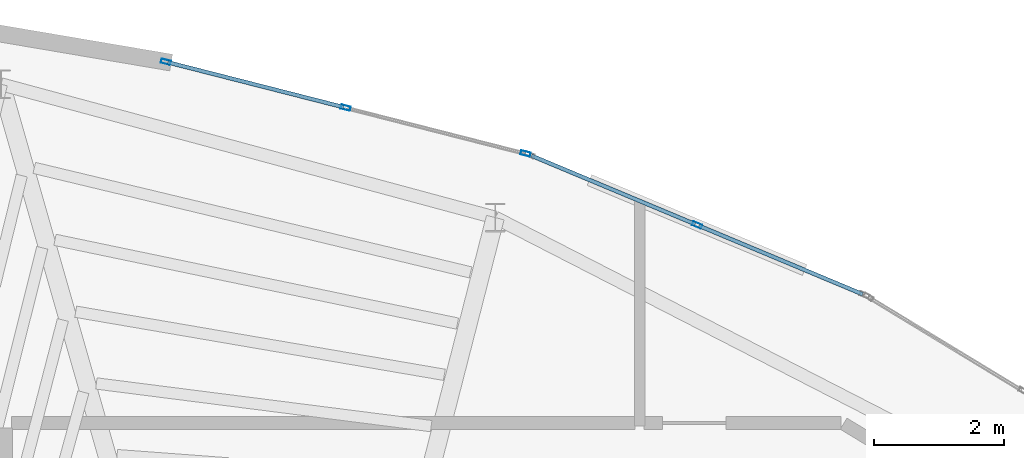
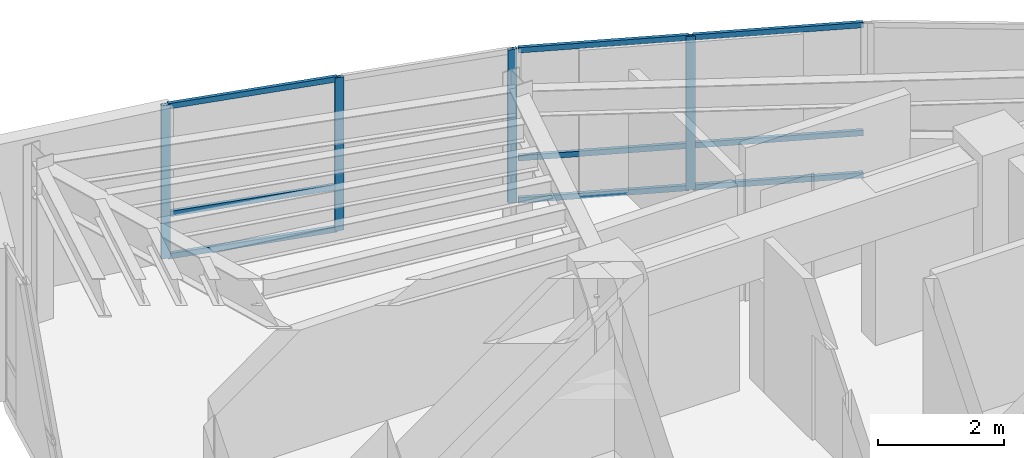
# One storey, part 9 of 14: 13 members, 2 elements without a shape of their own.
"""IFC4 building model written with IfcOpenShell, lengths in metres."""

from ifc_helpers import new_model, si_unit, direction, frame, origin, origin_2d, place, context, subcontext, project, spatial, hollow_rectangle, extrude, material, layer, layer_set, material_profile, profile_set, type_object, element, aggregate, save


model = new_model("IFC4")

# Units and contexts
model_context = context("Model", 3, precision=1e-05, world=origin(), true_north=direction((0.0, 1.0)))
body_context = subcontext(model_context, "Body", "Model", "MODEL_VIEW")
ifc_project = project(units=[si_unit("LENGTHUNIT", "METRE"), si_unit("AREAUNIT", "SQUARE_METRE"), si_unit("VOLUMEUNIT", "CUBIC_METRE"), si_unit("PLANEANGLEUNIT", "RADIAN"), si_unit("MASSUNIT", "GRAM", prefix="KILO")], contexts=[model_context])

# Site, building, storey
site_placement = place(None, origin())
site = spatial("IfcSite", under=ifc_project, at=site_placement, CompositionType="ELEMENT")
building_placement = place(site_placement, origin())
building = spatial("IfcBuilding", under=site, at=building_placement, Name="Menara Vayukalpa", CompositionType="ELEMENT")
storey_placement = place(building_placement, frame((0.0, 0.0, 299.219970703125)))
storey = spatial("IfcBuildingStorey", under=building, at=storey_placement, Name="L76", CompositionType="ELEMENT", Elevation=299.219970703125)

# Curtain wall, member
ifc_material_1 = material(Name="Anodised Terracotta Aluminium Alloy 6063-T6", Category="masonry")
ifc_layer = layer(ifc_material_1, 0.14990234375)
ifc_layer_set = layer_set([ifc_layer], Name="Anodised Terracotta Aluminium Alloy 6063-T6")
curtain_wall_type = type_object("IfcCurtainWallType", Name="CW-CW7", PredefinedType="USERDEFINED", material=ifc_layer_set)
curtain_wall_1_placement = place(storey_placement, origin())
curtain_wall_1 = element("IfcCurtainWall", 1, at=curtain_wall_1_placement, inside=storey, type_object=curtain_wall_type, Name="L76 Crown Drum Screened Curtain Wall CW7 05", ObjectType="UNITISED", PredefinedType="USERDEFINED")
ifc_material_2 = material(Name="Anodised Terracotta Aluminium Alloy 6063-T6", Category="masonry")
ifc_material_profile_1 = material_profile(ifc_material_2, hollow_rectangle(XDim=0.06494140625, YDim=0.14990234375, WallThickness=0.00341796875, at=origin_2d()), Name="ALU 65x150x3.5")
ifc_profile_set_1 = profile_set([ifc_material_profile_1], Name="Anodised Terracotta Aluminium Alloy 6063-T6")
member_type_1 = type_object("IfcMemberType", Name="CWM-CW7", PredefinedType="MULLION", material=ifc_profile_set_1)
member_1_placement = place(storey_placement, frame((26.48583984375, 31.83544921875, 0.0), z_axis=(0.0, 0.0, 1.0), x_axis=(-0.385898361946, -0.922541302191, 0.0)))
member_1 = element("IfcMember", 2, at=member_1_placement, type_object=member_type_1, Name="CW7 mullion 2", PredefinedType="MULLION", context=body_context, shape_type="SweptSolid", body=[
    extrude(hollow_rectangle(XDim=0.06494140625, YDim=0.14990234375, WallThickness=0.00341796875, at=origin_2d()), origin(), (0.0, 0.0, 1.0), 2.97998046875),
])

# Curtain wall, members
curtain_wall_2_placement = place(storey_placement, origin())
curtain_wall_2 = element("IfcCurtainWall", 3, at=curtain_wall_2_placement, inside=storey, type_object=curtain_wall_type, Name="L76 Crown Drum Screened Curtain Wall CW7 06", ObjectType="UNITISED", PredefinedType="USERDEFINED")
member_2_placement = place(storey_placement, frame((23.83837890625, 32.937744140625, 0.0), z_axis=(0.0, 0.0, 1.0), x_axis=(-0.247123764219, -0.968983924097, 0.0)))
member_2 = element("IfcMember", 4, at=member_2_placement, type_object=member_type_1, Name="CW7 mullion 1", PredefinedType="MULLION", context=body_context, shape_type="SweptSolid", body=[
    extrude(hollow_rectangle(XDim=0.06494140625, YDim=0.14990234375, WallThickness=0.00341796875, at=origin_2d()), origin(), (0.0, 0.0, 1.0), 2.97998046875),
])
member_3_placement = place(storey_placement, frame((21.0615234375, 33.645751953125, 0.0), z_axis=(0.0, 0.0, 1.0), x_axis=(-0.247123764219, -0.968983924097, 0.0)))
member_3 = element("IfcMember", 5, at=member_3_placement, type_object=member_type_1, Name="CW7 mullion 2", PredefinedType="MULLION", context=body_context, shape_type="SweptSolid", body=[
    extrude(hollow_rectangle(XDim=0.06494140625, YDim=0.14990234375, WallThickness=0.00341796875, at=origin_2d()), origin(), (0.0, 0.0, 1.0), 2.97998046875),
])
member_4_placement = place(storey_placement, frame((18.284423828125, 34.35400390625, 0.0), z_axis=(0.0, 0.0, 1.0), x_axis=(-0.247123764219, -0.968983924097, 0.0)))
member_4 = element("IfcMember", 6, at=member_4_placement, type_object=member_type_1, Name="CW7 mullion 3", PredefinedType="MULLION", context=body_context, shape_type="SweptSolid", body=[
    extrude(hollow_rectangle(XDim=0.06494140625, YDim=0.14990234375, WallThickness=0.00341796875, at=origin_2d()), origin(), (0.0, 0.0, 1.0), 2.97998046875),
])

# Member
ifc_material_3 = material(Name="Anodised Terracotta Aluminium Alloy 6063-T6", Category="masonry")
ifc_material_profile_2 = material_profile(ifc_material_3, hollow_rectangle(XDim=0.06005859375, YDim=0.10498046875, WallThickness=0.0029296875, at=origin_2d()), Name="ALU 60x105x3")
ifc_profile_set_2 = profile_set([ifc_material_profile_2], Name="Anodised Terracotta Aluminium Alloy 6063-T6")
member_type_2 = type_object("IfcMemberType", Name="CWT-CW7", PredefinedType="USERDEFINED", material=ifc_profile_set_2)
member_5_placement = place(storey_placement, frame((29.041748046875, 30.76611328125, 0.030029296875), z_axis=(-0.922532551431, 0.385919281132, 0.0), x_axis=(-0.385919281132, -0.922532551431, 0.0)))
member_5 = element("IfcMember", 7, at=member_5_placement, type_object=member_type_2, Name="CW7 transom 1.1", ObjectType="TRANSOM", PredefinedType="USERDEFINED", context=body_context, shape_type="SweptSolid", body=[
    extrude(hollow_rectangle(XDim=0.06005859375, YDim=0.10498046875, WallThickness=0.0029296875, at=origin_2d()), origin(), (0.0, 0.0, 1.0), 2.738037109375),
])

member_6_placement = place(storey_placement, frame((29.041748046875, 30.76611328125, 0.85009765625), z_axis=(-0.922532551431, 0.385919281132, 0.0), x_axis=(-0.385919281132, -0.922532551431, 0.0)))
member_6 = element("IfcMember", 8, at=member_6_placement, type_object=member_type_2, Name="CW7 transom 1.2", ObjectType="TRANSOM", PredefinedType="USERDEFINED", context=body_context, shape_type="SweptSolid", body=[
    extrude(hollow_rectangle(XDim=0.06005859375, YDim=0.10498046875, WallThickness=0.0029296875, at=origin_2d()), origin(), (0.0, 0.0, 1.0), 2.738037109375),
])

member_7_placement = place(storey_placement, frame((29.041748046875, 30.76611328125, 2.949951171875), z_axis=(-0.922532551431, 0.385919281132, 0.0), x_axis=(-0.385919281132, -0.922532551431, 0.0)))
member_7 = element("IfcMember", 9, at=member_7_placement, type_object=member_type_2, Name="CW7 transom 1.3", ObjectType="TRANSOM", PredefinedType="USERDEFINED", context=body_context, shape_type="SweptSolid", body=[
    extrude(hollow_rectangle(XDim=0.06005859375, YDim=0.10498046875, WallThickness=0.0029296875, at=origin_2d()), origin(), (0.0, 0.0, 1.0), 2.738037109375),
])

member_8_placement = place(storey_placement, frame((26.455810546875, 31.847900390625, 0.030029296875), z_axis=(-0.922532551431, 0.385919281132, 0.0), x_axis=(-0.385919281132, -0.922532551431, 0.0)))
member_8 = element("IfcMember", 10, at=member_8_placement, type_object=member_type_2, Name="CW7 transom 2.1", ObjectType="TRANSOM", PredefinedType="USERDEFINED", context=body_context, shape_type="SweptSolid", body=[
    extrude(hollow_rectangle(XDim=0.06005859375, YDim=0.10498046875, WallThickness=0.0029296875, at=origin_2d()), origin(), (0.0, 0.0, 1.0), 2.738037109375),
])

member_9_placement = place(storey_placement, frame((26.455810546875, 31.847900390625, 0.85009765625), z_axis=(-0.922532551431, 0.385919281132, 0.0), x_axis=(-0.385919281132, -0.922532551431, 0.0)))
member_9 = element("IfcMember", 11, at=member_9_placement, type_object=member_type_2, Name="CW7 transom 2.2", ObjectType="TRANSOM", PredefinedType="USERDEFINED", context=body_context, shape_type="SweptSolid", body=[
    extrude(hollow_rectangle(XDim=0.06005859375, YDim=0.10498046875, WallThickness=0.0029296875, at=origin_2d()), origin(), (0.0, 0.0, 1.0), 2.738037109375),
])

member_10_placement = place(storey_placement, frame((26.455810546875, 31.847900390625, 2.949951171875), z_axis=(-0.922532551431, 0.385919281132, 0.0), x_axis=(-0.385919281132, -0.922532551431, 0.0)))
member_10 = element("IfcMember", 12, at=member_10_placement, type_object=member_type_2, Name="CW7 transom 2.3", ObjectType="TRANSOM", PredefinedType="USERDEFINED", context=body_context, shape_type="SweptSolid", body=[
    extrude(hollow_rectangle(XDim=0.06005859375, YDim=0.10498046875, WallThickness=0.0029296875, at=origin_2d()), origin(), (0.0, 0.0, 1.0), 2.738037109375),
])

aggregate(curtain_wall_1, [member_1, member_5, member_6, member_7, member_8, member_9, member_10])

member_11_placement = place(storey_placement, frame((21.030029296875, 33.65380859375, 0.030029296875), z_axis=(-0.968988349591, 0.247106411, 0.0), x_axis=(-0.247106411, -0.968988349591, 0.0)))
member_11 = element("IfcMember", 13, at=member_11_placement, type_object=member_type_2, Name="CW7 transom 2.1", ObjectType="TRANSOM", PredefinedType="USERDEFINED", context=body_context, shape_type="SweptSolid", body=[
    extrude(hollow_rectangle(XDim=0.06005859375, YDim=0.10498046875, WallThickness=0.0029296875, at=origin_2d()), origin(), (0.0, 0.0, 1.0), 2.801025390625),
])

member_12_placement = place(storey_placement, frame((21.030029296875, 33.65380859375, 0.85009765625), z_axis=(-0.968988349591, 0.247106411, 0.0), x_axis=(-0.247106411, -0.968988349591, 0.0)))
member_12 = element("IfcMember", 14, at=member_12_placement, type_object=member_type_2, Name="CW7 transom 2.2", ObjectType="TRANSOM", PredefinedType="USERDEFINED", context=body_context, shape_type="SweptSolid", body=[
    extrude(hollow_rectangle(XDim=0.06005859375, YDim=0.10498046875, WallThickness=0.0029296875, at=origin_2d()), origin(), (0.0, 0.0, 1.0), 2.801025390625),
])

member_13_placement = place(storey_placement, frame((21.030029296875, 33.65380859375, 2.949951171875), z_axis=(-0.968988349591, 0.247106411, 0.0), x_axis=(-0.247106411, -0.968988349591, 0.0)))
member_13 = element("IfcMember", 15, at=member_13_placement, type_object=member_type_2, Name="CW7 transom 2.3", ObjectType="TRANSOM", PredefinedType="USERDEFINED", context=body_context, shape_type="SweptSolid", body=[
    extrude(hollow_rectangle(XDim=0.06005859375, YDim=0.10498046875, WallThickness=0.0029296875, at=origin_2d()), origin(), (0.0, 0.0, 1.0), 2.801025390625),
])

aggregate(curtain_wall_2, [member_2, member_3, member_4, member_11, member_12, member_13])

save(model, "model.ifc")
